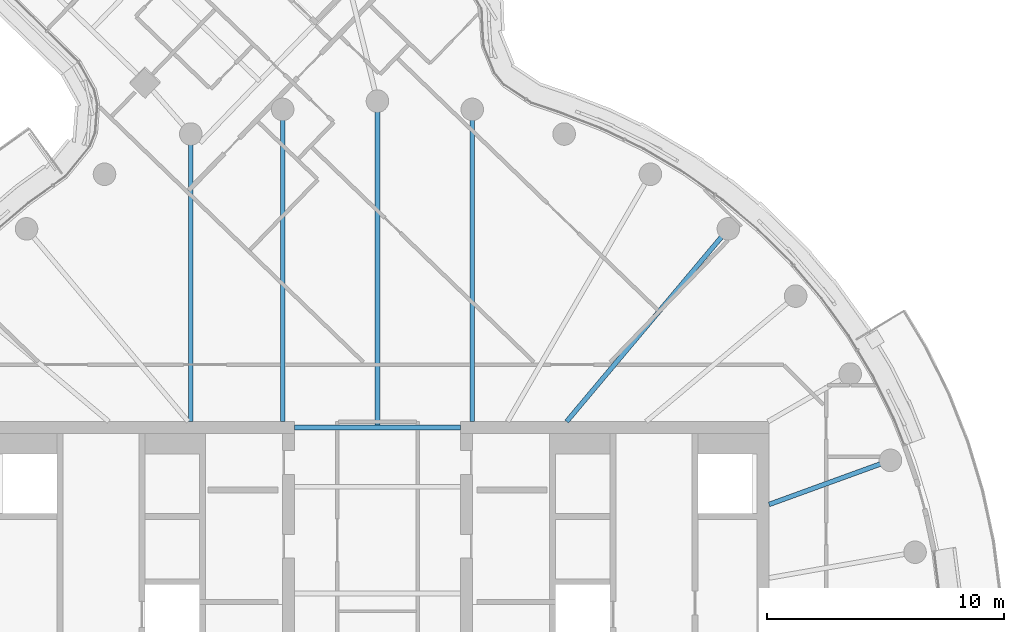
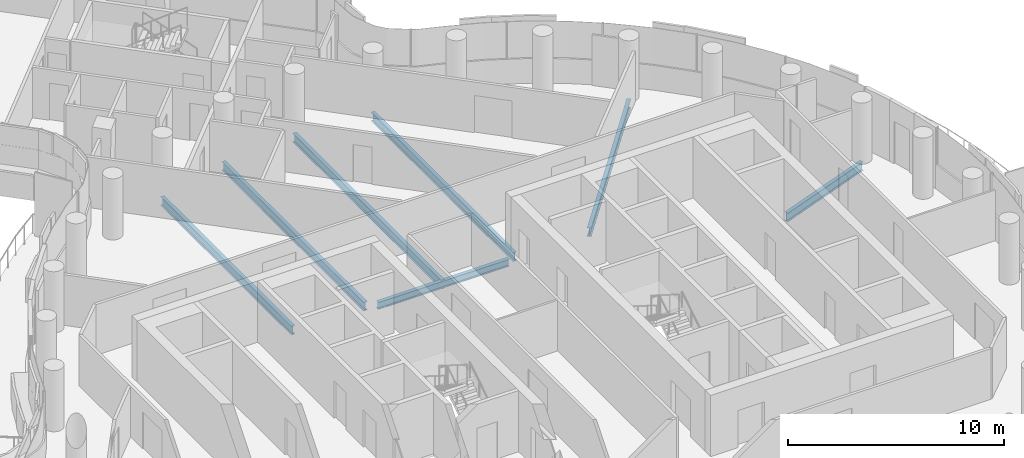
# One storey, part 12 of 31: 7 beams.
"""IFC4 building model written with IfcOpenShell, lengths in metres."""

import ifcopenshell
import ifcopenshell.guid

model = None  # the IFC model being written
_history = None  # IfcOwnerHistory: only IFC2X3 demands one
_inside = {}  # id of a spatial element -> (the spatial element, [elements in it])
_under = {}  # id of a project, library or spatial element -> (it, [spatial elements below it])
_declared = {}  # id of a project -> (the project, [libraries it declares])
_typed = {}  # id of a type object -> (the type object, [elements of that type])
_made_of = {}  # id of a material, layer set ... -> (it, [elements and type objects made of it])


def new_model(schema):
    """Start an empty IFC model of exactly this schema.

    Asked for "IFC4X3", IfcOpenShell would pick the latest addendum, in which some entities
    have other attributes; the version numbers below select the first issue.
    IFC2X3 requires an IfcOwnerHistory on every rooted entity: one is made here for all.
    """
    global model, _history
    if schema == "IFC4X3":
        model = ifcopenshell.file(schema_version=(4, 3, 0, 0))
    else:
        model = ifcopenshell.file(schema=schema)
    _inside.clear()
    _under.clear()
    _declared.clear()
    _typed.clear()
    _made_of.clear()
    _history = None
    if model.schema == "IFC2X3":
        org = make("IfcOrganization", Name="unknown")
        user = make(
            "IfcPersonAndOrganization",
            ThePerson=make("IfcPerson", FamilyName="unknown"),
            TheOrganization=org,
        )
        app = make(
            "IfcApplication",
            ApplicationDeveloper=org,
            Version="unknown",
            ApplicationFullName="unknown",
            ApplicationIdentifier="unknown",
        )
        _history = make(
            "IfcOwnerHistory",
            OwningUser=user,
            OwningApplication=app,
            ChangeAction="ADDED",
            CreationDate=0,
        )
    return model


def make(cls, **values):
    """One entity of the class cls with the attributes given. An attribute that is None is left unset."""
    return model.create_entity(
        cls, **{name: value for name, value in values.items() if value is not None}
    )


def rooted(cls, **values):
    """An entity with a GlobalId (a new one), such as an element, a storey or a relation."""
    return make(cls, GlobalId=ifcopenshell.guid.new(), OwnerHistory=_history, **values)


def si_unit(unit_type, name, prefix=None):
    """IfcSIUnit, for example si_unit("LENGTHUNIT", "METRE", prefix="MILLI")."""
    return make("IfcSIUnit", UnitType=unit_type, Prefix=prefix, Name=name)


def assignment(units):
    """IfcUnitAssignment: the units of a project."""
    return None if units is None else make("IfcUnitAssignment", Units=units)


def point(xyz):
    """IfcCartesianPoint."""
    return None if xyz is None else make("IfcCartesianPoint", Coordinates=xyz)


def direction(xyz):
    """IfcDirection."""
    return None if xyz is None else make("IfcDirection", DirectionRatios=xyz)


def frame(location, z_axis=None, x_axis=None):
    """IfcAxis2Placement3D, a coordinate frame: its origin and axes. An axis left out is left unset."""
    return make(
        "IfcAxis2Placement3D",
        Location=point(location),
        Axis=direction(z_axis),
        RefDirection=direction(x_axis),
    )


def frame_2d(location, x_axis=None):
    """IfcAxis2Placement2D, a coordinate frame in the plane: its origin and x axis."""
    return make(
        "IfcAxis2Placement2D", Location=point(location), RefDirection=direction(x_axis)
    )


def origin():
    """The frame at (0, 0, 0) with its axes left unset."""
    return frame((0.0, 0.0, 0.0))


def origin_2d():
    """The frame at (0, 0) in the plane with its x axis left unset."""
    return frame_2d((0.0, 0.0))


def place(relative_to, where):
    """IfcLocalPlacement: puts the frame where relative to a parent placement (None: the world)."""
    return make(
        "IfcLocalPlacement", PlacementRelTo=relative_to, RelativePlacement=where
    )


def context(
    kind, dimensions, precision=None, world=None, true_north=None, identifier=None
):
    """IfcGeometricRepresentationContext, for example the 3D "Model" context."""
    return make(
        "IfcGeometricRepresentationContext",
        ContextIdentifier=identifier,
        ContextType=kind,
        CoordinateSpaceDimension=dimensions,
        Precision=precision,
        WorldCoordinateSystem=world,
        TrueNorth=true_north,
    )


def subcontext(parent, identifier, kind, view, scale=None):
    """IfcGeometricRepresentationSubContext, for example "Body" below "Model"."""
    return make(
        "IfcGeometricRepresentationSubContext",
        ContextIdentifier=identifier,
        ContextType=kind,
        ParentContext=parent,
        TargetScale=scale,
        TargetView=view,
    )


def project(units=None, contexts=None):
    """IfcProject with its units and contexts."""
    return rooted(
        "IfcProject",
        Name="project",
        RepresentationContexts=contexts,
        UnitsInContext=assignment(units),
    )


def spatial(cls, under=None, at=None, **own):
    """A site, building, storey or space (cls), placed at a placement, below another one or the project."""
    s = rooted(cls, ObjectPlacement=at, **own)
    if under is not None:
        _under.setdefault(under.id(), (under, []))[1].append(s)
    return s


def profile(cls, at=None, kind="AREA", **sizes):
    """A parametric profile (cls). Its sizes go by their IFC names, for example OverallWidth=200.0."""
    return make(cls, ProfileType=kind, Position=at, **sizes)


def i_section(**sizes):
    """IfcIShapeProfileDef."""
    return profile("IfcIShapeProfileDef", **sizes)


def extrude(swept, where, along, depth):
    """IfcExtrudedAreaSolid: the profile swept, set in the frame where, extruded along a direction by depth."""
    return make(
        "IfcExtrudedAreaSolid",
        SweptArea=swept,
        Position=where,
        ExtrudedDirection=direction(along),
        Depth=depth,
    )


def shape(context_of_items, identifier, shape_type, items):
    """IfcShapeRepresentation: the items that make up one representation, for example the "Body"."""
    return make(
        "IfcShapeRepresentation",
        ContextOfItems=context_of_items,
        RepresentationIdentifier=identifier,
        RepresentationType=shape_type,
        Items=items,
    )


def material(Name=None, Category=None):
    """IfcMaterial."""
    return make("IfcMaterial", Name=Name, Category=Category)


def material_profile(
    of_material, cross_section, Name=None, Category=None, Priority=None
):
    """IfcMaterialProfile: a cross section and its material."""
    return make(
        "IfcMaterialProfile",
        Name=Name,
        Material=of_material,
        Profile=cross_section,
        Priority=Priority,
        Category=Category,
    )


def profile_set(profiles, Name=None, composite=None):
    """IfcMaterialProfileSet."""
    return make(
        "IfcMaterialProfileSet",
        Name=Name,
        MaterialProfiles=profiles,
        CompositeProfile=composite,
    )


def made_of(thing, what):
    """Note that an element or type object is made of a material, layer set ...; save() writes the relation."""
    if what is not None:
        _made_of.setdefault(what.id(), (what, []))[1].append(thing)
    return thing


def type_object(cls, material=None, **own):
    """A type object (cls), such as IfcWallType, which elements share."""
    return made_of(rooted(cls, **own), material)


def element(
    cls,
    number,
    at=None,
    inside=None,
    cuts=None,
    type_object=None,
    material=None,
    context=None,
    identifier="Body",
    shape_type=None,
    held_by="IfcProductDefinitionShape",
    body=None,
    shapes=None,
    **own,
):
    """One element of the class cls, such as IfcWall. Its Tag is "e" and its number.

    at: its placement. inside: the storey or other place that contains it. cuts: it is an
    opening in that element (IfcRelVoidsElement). A single representation is given by context,
    identifier, shape_type and body (its items); several are given by shapes. held_by: the class
    of the entity that holds the representations. save() writes the other relations.
    """
    e = rooted(cls, Tag="e%d" % number, ObjectPlacement=at, **own)
    if body is not None:
        shapes = [shape(context, identifier, shape_type, body)]
    if shapes is not None:
        e.Representation = make(held_by, Representations=shapes)
    if inside is not None:
        _inside.setdefault(inside.id(), (inside, []))[1].append(e)
    if cuts is not None:
        rooted(
            "IfcRelVoidsElement", RelatingBuildingElement=cuts, RelatedOpeningElement=e
        )
    if type_object is not None:
        _typed.setdefault(type_object.id(), (type_object, []))[1].append(e)
    return made_of(e, material)


def aggregate(whole, parts):
    """IfcRelAggregates: a whole, such as a stair, and the parts it consists of."""
    return rooted("IfcRelAggregates", RelatingObject=whole, RelatedObjects=parts)


def save(model, path):
    """Write the relations noted so far, then the file.

    IfcRelAggregates (storeys below a building ...), IfcRelContainedInSpatialStructure (elements
    in a storey), IfcRelDefinesByType, IfcRelAssociatesMaterial and IfcRelDeclares: one each for
    every whole, place, type object, material and project.
    """
    for whole, parts in _under.values():
        aggregate(whole, parts)
    for where, things in _inside.values():
        rooted(
            "IfcRelContainedInSpatialStructure",
            RelatedElements=things,
            RelatingStructure=where,
        )
    for kind, things in _typed.values():
        rooted("IfcRelDefinesByType", RelatedObjects=things, RelatingType=kind)
    for what, things in _made_of.values():
        rooted("IfcRelAssociatesMaterial", RelatedObjects=things, RelatingMaterial=what)
    for by, libraries in _declared.values():
        rooted("IfcRelDeclares", RelatingContext=by, RelatedDefinitions=libraries)
    model.write(path)


model = new_model("IFC4")

# Units and contexts
model_context = context("Model", 3, precision=1e-05, world=origin(), true_north=direction((0.0, 1.0)))
body_context = subcontext(model_context, "Body", "Model", "MODEL_VIEW")
ifc_project = project(units=[si_unit("LENGTHUNIT", "METRE"), si_unit("AREAUNIT", "SQUARE_METRE"), si_unit("VOLUMEUNIT", "CUBIC_METRE"), si_unit("PLANEANGLEUNIT", "RADIAN"), si_unit("MASSUNIT", "GRAM", prefix="KILO")], contexts=[model_context])

# Site, building, storey
site_placement = place(None, origin())
site = spatial("IfcSite", under=ifc_project, at=site_placement, CompositionType="ELEMENT")
building_placement = place(site_placement, origin())
building = spatial("IfcBuilding", under=site, at=building_placement, Name="Tamarind Cross Interchange Tower", CompositionType="ELEMENT")
storey_placement = place(building_placement, frame((0.0, 0.0, 200.5)))
storey = spatial("IfcBuildingStorey", under=building, at=storey_placement, Name="L50", CompositionType="ELEMENT", Elevation=200.5)

# Beams
ifc_material = material(Name="Steel Q355B", Category="steel")
ifc_material_profile_1 = material_profile(ifc_material, i_section(OverallWidth=0.199951171875, OverallDepth=0.39990234375, WebThickness=0.008056640625, FlangeThickness=0.012939453125, FilletRadius=0.01611328125, at=origin_2d()), Name="HN 400x200x8x13")
ifc_profile_set_1 = profile_set([ifc_material_profile_1], Name="Steel Q355B")
beam_type_1 = type_object("IfcBeamType", Name="Composite beam HN 400x200x8x13 Q355B", PredefinedType="BEAM", material=ifc_profile_set_1)
beam_1_placement = place(storey_placement, frame((-3.5, 9.25, -0.340087890625), z_axis=(1.0, 0.0, 0.0), x_axis=(0.0, 1.0, 0.0)))
element("IfcBeam", 1, at=beam_1_placement, inside=storey, type_object=beam_type_1, Name="Beam G9.25", PredefinedType="BEAM", context=body_context, shape_type="SweptSolid", body=[
    extrude(i_section(OverallWidth=0.199951171875, OverallDepth=0.39990234375, WebThickness=0.008056640625, FlangeThickness=0.012939453125, FilletRadius=0.01611328125, at=origin_2d()), origin(), (0.0, 0.0, 1.0), 7.0),
])
ifc_material_profile_2 = material_profile(ifc_material, i_section(OverallWidth=0.198974609375, OverallDepth=0.49609375, WebThickness=0.009033203125, FlangeThickness=0.013916015625, FilletRadius=0.012939453125, at=origin_2d()), Name="HN 496x199x9x14")
ifc_profile_set_2 = profile_set([ifc_material_profile_2], Name="Steel Q355B")
beam_type_2 = type_object("IfcBeamType", Name="Composite beam HN 496x199x9x14 Q355B", PredefinedType="BEAM", material=ifc_profile_set_2)
beam_2_placement = place(storey_placement, frame((21.613037109375, 7.866455078125, -0.387939453125), z_axis=(-0.939701685589, -0.341995236956, 0.0), x_axis=(0.341995236956, -0.939701685589, 0.0)))
element("IfcBeam", 2, at=beam_2_placement, inside=storey, type_object=beam_type_2, Name="Beam HH02", PredefinedType="BEAM", context=body_context, shape_type="SweptSolid", body=[
    extrude(i_section(OverallWidth=0.198974609375, OverallDepth=0.49609375, WebThickness=0.009033203125, FlangeThickness=0.013916015625, FilletRadius=0.012939453125, at=origin_2d()), origin(), (0.0, 0.0, 1.0), 5.441162109375),
])
beam_3_placement = place(storey_placement, frame((14.7841796875, 17.619140625, -0.387939453125), z_axis=(-0.642786293979, -0.766045547127, 0.0), x_axis=(0.766045547127, -0.642786293979, 0.0)))
element("IfcBeam", 3, at=beam_3_placement, inside=storey, type_object=beam_type_2, Name="Beam HH05", PredefinedType="BEAM", context=body_context, shape_type="SweptSolid", body=[
    extrude(i_section(OverallWidth=0.198974609375, OverallDepth=0.49609375, WebThickness=0.009033203125, FlangeThickness=0.013916015625, FilletRadius=0.012939453125, at=origin_2d()), origin(), (0.0, 0.0, 1.0), 10.598876953125),
])
beam_4_placement = place(storey_placement, frame((3.993896484375, 22.650634765625, -0.387939453125), z_axis=(0.0, -1.0, 0.0), x_axis=(1.0, 0.0, 0.0)))
element("IfcBeam", 4, at=beam_4_placement, inside=storey, type_object=beam_type_2, Name="Beam HH08", PredefinedType="BEAM", context=body_context, shape_type="SweptSolid", body=[
    extrude(i_section(OverallWidth=0.198974609375, OverallDepth=0.49609375, WebThickness=0.009033203125, FlangeThickness=0.013916015625, FilletRadius=0.012939453125, at=origin_2d()), origin(), (0.0, 0.0, 1.0), 13.150634765625),
])
beam_5_placement = place(storey_placement, frame((0.0, 23.0, -0.387939453125), z_axis=(0.0, -1.0, 0.0), x_axis=(1.0, 0.0, 0.0)))
element("IfcBeam", 5, at=beam_5_placement, inside=storey, type_object=beam_type_2, Name="Beam HH09", PredefinedType="BEAM", context=body_context, shape_type="SweptSolid", body=[
    extrude(i_section(OverallWidth=0.198974609375, OverallDepth=0.49609375, WebThickness=0.009033203125, FlangeThickness=0.013916015625, FilletRadius=0.012939453125, at=origin_2d()), origin(), (0.0, 0.0, 1.0), 13.75),
])
beam_6_placement = place(storey_placement, frame((-3.993896484375, 22.650634765625, -0.387939453125), z_axis=(0.0, -1.0, 0.0), x_axis=(1.0, 0.0, 0.0)))
element("IfcBeam", 6, at=beam_6_placement, inside=storey, type_object=beam_type_2, Name="Beam HH10", PredefinedType="BEAM", context=body_context, shape_type="SweptSolid", body=[
    extrude(i_section(OverallWidth=0.198974609375, OverallDepth=0.49609375, WebThickness=0.009033203125, FlangeThickness=0.013916015625, FilletRadius=0.012939453125, at=origin_2d()), origin(), (0.0, 0.0, 1.0), 13.150634765625),
])
beam_7_placement = place(storey_placement, frame((-7.866455078125, 21.613037109375, -0.387939453125), z_axis=(0.0, -1.0, 0.0), x_axis=(1.0, 0.0, 0.0)))
element("IfcBeam", 7, at=beam_7_placement, inside=storey, type_object=beam_type_2, Name="Beam HH11", PredefinedType="BEAM", context=body_context, shape_type="SweptSolid", body=[
    extrude(i_section(OverallWidth=0.198974609375, OverallDepth=0.49609375, WebThickness=0.009033203125, FlangeThickness=0.013916015625, FilletRadius=0.012939453125, at=origin_2d()), origin(), (0.0, 0.0, 1.0), 12.113037109375),
])

save(model, "model.ifc")
